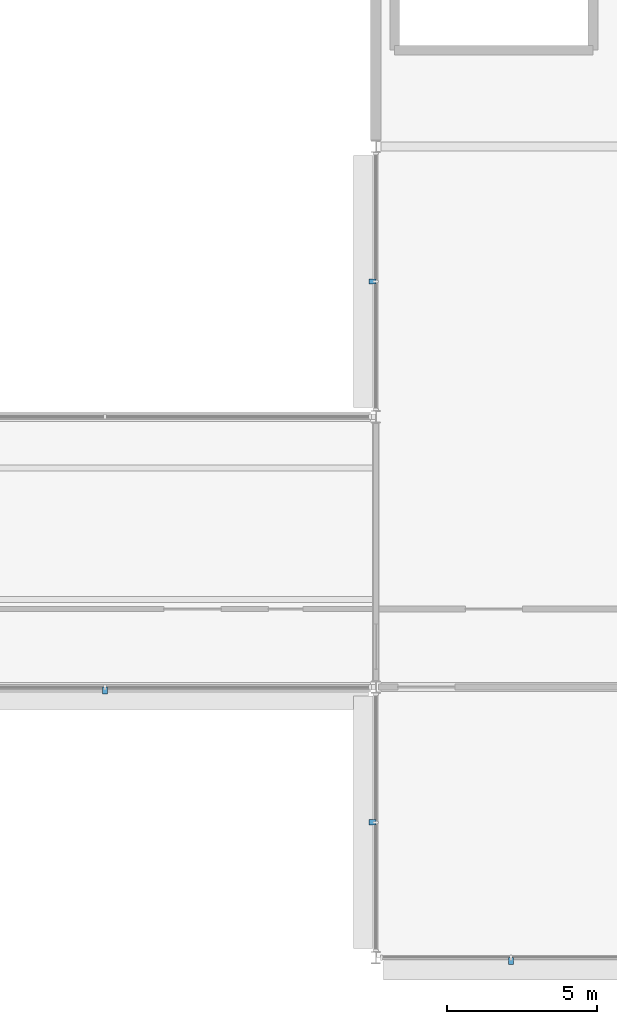
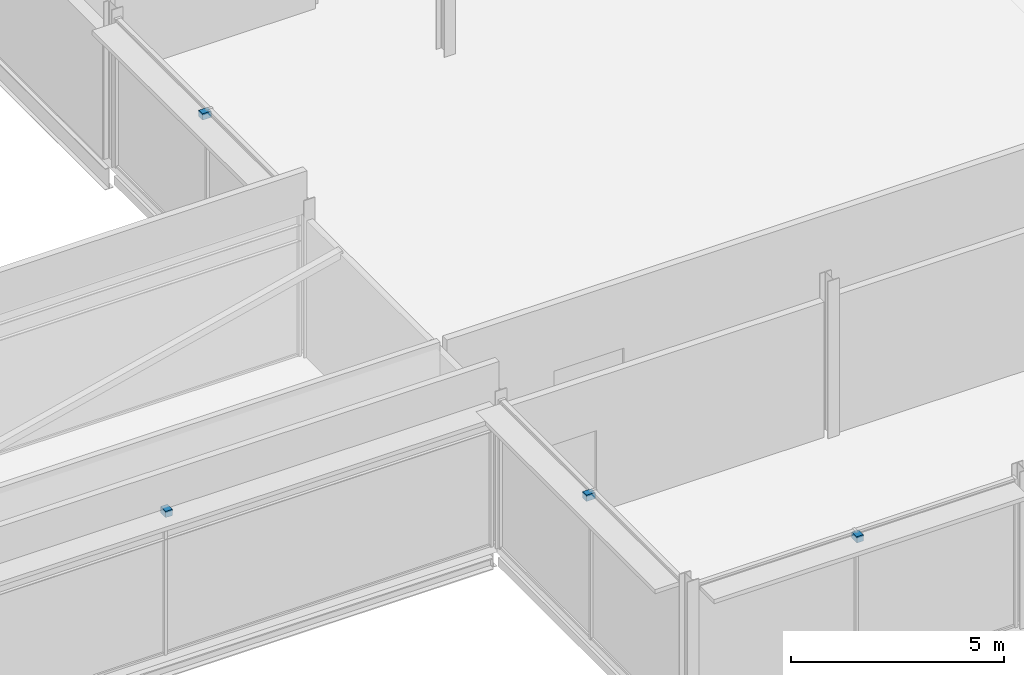
# One storey, part 54 of 73: 4 discrete accessories.
"""IFC4 building model written with IfcOpenShell, lengths in metres."""

from ifc_helpers import new_model, si_unit, direction, frame, origin, origin_2d, place, context, subcontext, project, spatial, rectangle, extrude, material, type_object, element, save


model = new_model("IFC4")

# Units and contexts
model_context = context("Model", 3, precision=1e-05, world=origin(), true_north=direction((0.0, 1.0)))
body_context = subcontext(model_context, "Body", "Model", "MODEL_VIEW")
ifc_project = project(units=[si_unit("LENGTHUNIT", "METRE"), si_unit("AREAUNIT", "SQUARE_METRE"), si_unit("VOLUMEUNIT", "CUBIC_METRE"), si_unit("PLANEANGLEUNIT", "RADIAN"), si_unit("MASSUNIT", "GRAM", prefix="KILO")], contexts=[model_context])

# Site, building, storey
site_placement = place(None, origin())
site = spatial("IfcSite", under=ifc_project, at=site_placement, CompositionType="ELEMENT")
building_placement = place(site_placement, origin())
building = spatial("IfcBuilding", under=site, at=building_placement, Name="Kisiwana Market Hall", CompositionType="ELEMENT")
storey_placement = place(building_placement, frame((0.0, 0.0, 33.300048828125)))
storey = spatial("IfcBuildingStorey", under=building, at=storey_placement, Name="L07", CompositionType="ELEMENT", Elevation=33.300048828125)

# Discrete accessories
ifc_material = material(Name="Steel S355", Category="steel")
discrete_accessory_type = type_object("IfcDiscreteAccessoryType", Name="ACC-BRACKET-STL", PredefinedType="BRACKET", material=ifc_material)
for number, where, z_axis, x_axis, name in (
    (1, (157.5, 8.889892578125, 4.044921875), (0.0, 0.0, 1.0), (1.0, 0.0, 0.0), "Sunshade steel bracket BRK-128"),
    (2, (143.987548828125, 17.889892578125, 4.044921875), (0.0, 0.0, 1.0), (1.0, 0.0, 0.0), "Sunshade steel bracket BRK-134"),
    (3, (152.889892578125, 13.5, 4.044921875), (0.0, 0.0, 1.0), (0.0, 1.0, 0.0), "Sunshade steel bracket BRK-140"),
    (4, (152.889892578125, 31.5, 4.044921875), (0.0, 0.0, 1.0), (0.0, 1.0, 0.0), "Sunshade steel bracket BRK-141"),
):
    element("IfcDiscreteAccessory", number, at=place(storey_placement, frame(where, z_axis=z_axis, x_axis=x_axis)), inside=storey, type_object=discrete_accessory_type, Name=name, PredefinedType="BRACKET", context=body_context, shape_type="SweptSolid", body=[
        extrude(rectangle(XDim=0.179931640625, YDim=0.239990234375, at=origin_2d()), origin(), (0.0, 0.0, 1.0), 0.179931640625),
    ])

save(model, "model.ifc")
